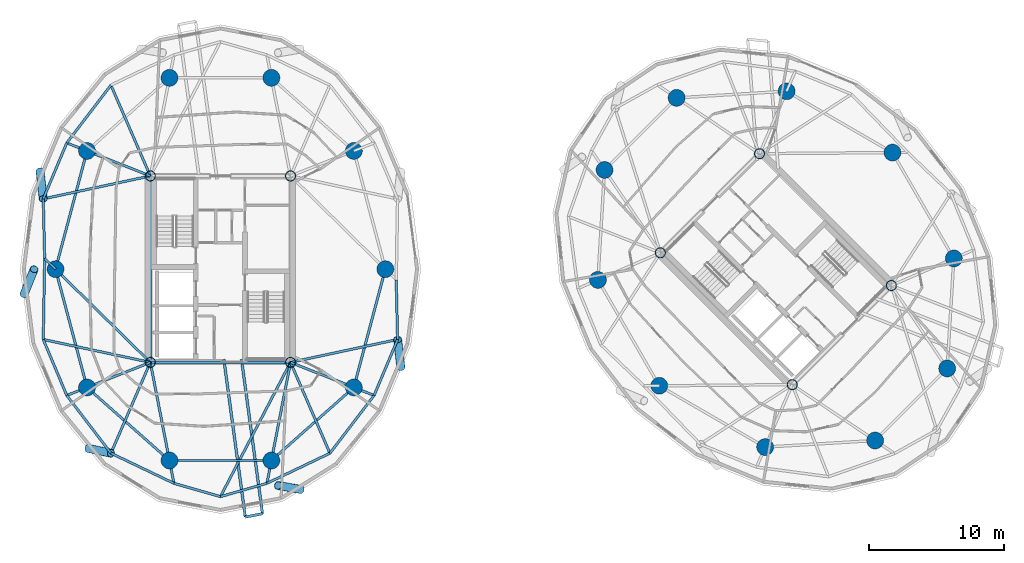
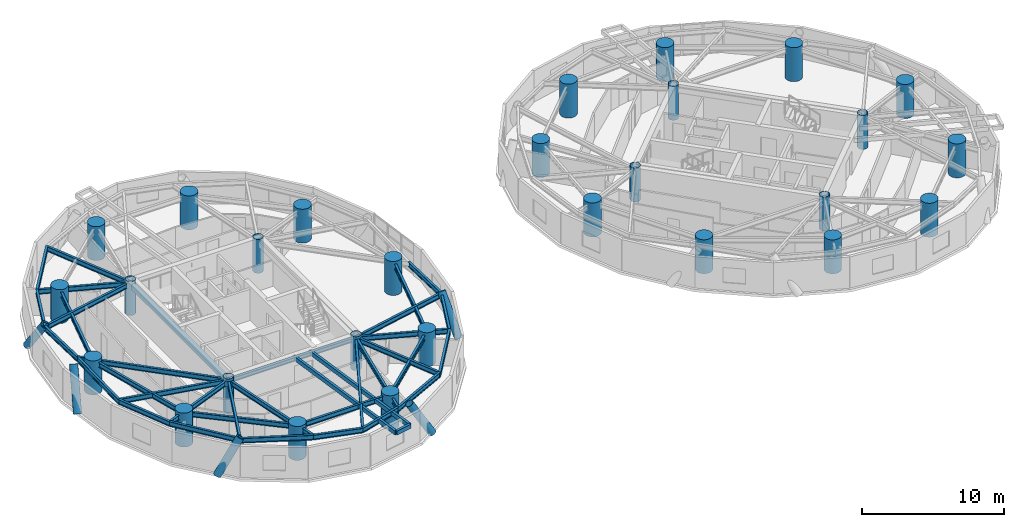
# One storey, part 1 of 17: 38 beams, 28 columns, 5 members.
"""IFC4 building model written with IfcOpenShell, lengths in metres."""

from ifc_helpers import new_model, si_unit, direction, frame, origin, origin_2d, place, context, subcontext, project, spatial, hollow_rectangle, circle, hollow_circle, i_section, extrude, material, material_profile, profile_set, type_object, element, save


model = new_model("IFC4")

# Units and contexts
model_context = context("Model", 3, precision=1e-05, world=origin(), true_north=direction((0.0, 1.0)))
body_context = subcontext(model_context, "Body", "Model", "MODEL_VIEW")
ifc_project = project(units=[si_unit("LENGTHUNIT", "METRE"), si_unit("AREAUNIT", "SQUARE_METRE"), si_unit("VOLUMEUNIT", "CUBIC_METRE"), si_unit("PLANEANGLEUNIT", "RADIAN"), si_unit("MASSUNIT", "GRAM", prefix="KILO")], contexts=[model_context])

# Site, building, storey
site_placement = place(None, origin())
site = spatial("IfcSite", under=ifc_project, at=site_placement, CompositionType="ELEMENT")
building_placement = place(site_placement, origin())
building = spatial("IfcBuilding", under=site, at=building_placement, Name="Cununo Teusaquillo Station Towers", CompositionType="ELEMENT")
storey_placement = place(building_placement, frame((0.0, 0.0, 166.14990234375)))
storey = spatial("IfcBuildingStorey", under=building, at=storey_placement, Name="L52", CompositionType="ELEMENT", Elevation=166.14990234375)

# Columns
ifc_material_1 = material(Name="Steel EN 10025-2 S355J2", Category="steel")
ifc_material_profile_1 = material_profile(ifc_material_1, hollow_circle(Radius=0.3798828125, WallThickness=0.031982421875, at=origin_2d()), Name="CHS 760x32")
ifc_profile_set_1 = profile_set([ifc_material_profile_1], Name="Steel EN 10025-2 S355J2")
column_type_1 = type_object("IfcColumnType", Name="COL-CORE-Z2", PredefinedType="COLUMN", material=ifc_profile_set_1)
for number, where, z_axis, x_axis, name in (
    (1, (11.324951171875, 17.6201171875, 0.0), (0.0, 0.0, 1.0), (1.0, 0.0, 0.0), "L52 Tower A Core Column 1"),
    (2, (11.324951171875, 31.3798828125, 0.0), (0.0, 0.0, 1.0), (1.0, 0.0, 0.0), "L52 Tower A Core Column 2"),
    (3, (21.675048828125, 17.6201171875, 0.0), (0.0, 0.0, 1.0), (1.0, 0.0, 0.0), "L52 Tower A Core Column 3"),
    (4, (21.675048828125, 31.3798828125, 0.0), (0.0, 0.0, 1.0), (1.0, 0.0, 0.0), "L52 Tower A Core Column 4"),
    (5, (58.70556640625, 15.975830078125, 0.0), (0.0, 0.0, 1.0), (0.707106781187, 0.707106781187, 0.0), "L52 Tower B Core Column 1"),
    (6, (48.975830078125, 25.70556640625, 0.0), (0.0, 0.0, 1.0), (0.707106781187, 0.707106781187, 0.0), "L52 Tower B Core Column 2"),
    (7, (66.024169921875, 23.29443359375, 0.0), (0.0, 0.0, 1.0), (0.707106781187, 0.707106781187, 0.0), "L52 Tower B Core Column 3"),
    (8, (56.29443359375, 33.024169921875, 0.0), (0.0, 0.0, 1.0), (0.707106781187, 0.707106781187, 0.0), "L52 Tower B Core Column 4"),
):
    element("IfcColumn", number, at=place(storey_placement, frame(where, z_axis=z_axis, x_axis=x_axis)), inside=storey, type_object=column_type_1, Name=name, PredefinedType="COLUMN", context=body_context, shape_type="SweptSolid", body=[
        extrude(hollow_circle(Radius=0.3798828125, WallThickness=0.031982421875, at=origin_2d()), origin(), (0.0, 0.0, 1.0), 2.91015625),
    ])
ifc_material_2 = material(Name="Concrete C60/75", Category="concrete")
ifc_material_profile_2 = material_profile(ifc_material_2, circle(Radius=0.625, at=origin_2d()), Name="RC-CIRC-1250")
ifc_profile_set_2 = profile_set([ifc_material_profile_2], Name="Concrete C60/75")
column_type_2 = type_object("IfcColumnType", Name="COL-MEGA-Z3", PredefinedType="USERDEFINED", material=ifc_profile_set_2)
for number, where, z_axis, x_axis, name in (
    (9, (28.672119140625, 24.5, 0.0), (0.0, 0.0, 1.0), (1.0, 0.0, 0.0), "L52 Tower A Perimeter Column V00"),
    (10, (26.347412109375, 33.228515625, 0.0), (0.0, 0.0, 1.0), (1.0, 0.0, 0.0), "L52 Tower A Perimeter Column V02"),
    (11, (20.261474609375, 38.623291015625, 0.0), (0.0, 0.0, 1.0), (1.0, 0.0, 0.0), "L52 Tower A Perimeter Column V04"),
    (12, (12.738525390625, 38.623291015625, 0.0), (0.0, 0.0, 1.0), (1.0, 0.0, 0.0), "L52 Tower A Perimeter Column V06"),
    (13, (6.652587890625, 33.228515625, 0.0), (0.0, 0.0, 1.0), (1.0, 0.0, 0.0), "L52 Tower A Perimeter Column V08"),
    (14, (4.327880859375, 24.5, 0.0), (0.0, 0.0, 1.0), (1.0, 0.0, 0.0), "L52 Tower A Perimeter Column V10"),
    (15, (6.652587890625, 15.771484375, 0.0), (0.0, 0.0, 1.0), (1.0, 0.0, 0.0), "L52 Tower A Perimeter Column V12"),
    (16, (12.738525390625, 10.376708984375, 0.0), (0.0, 0.0, 1.0), (1.0, 0.0, 0.0), "L52 Tower A Perimeter Column V14"),
    (17, (20.261474609375, 10.376708984375, 0.0), (0.0, 0.0, 1.0), (1.0, 0.0, 0.0), "L52 Tower A Perimeter Column V16"),
    (18, (26.347412109375, 15.771484375, 0.0), (0.0, 0.0, 1.0), (1.0, 0.0, 0.0), "L52 Tower A Perimeter Column V18"),
    (19, (66.10693359375, 33.10693359375, 0.0), (0.0, 0.0, 1.0), (1.0, 0.0, 0.0), "L52 Tower B Perimeter Column V00"),
    (20, (58.291015625, 37.63525390625, 0.0), (0.0, 0.0, 1.0), (1.0, 0.0, 0.0), "L52 Tower B Perimeter Column V02"),
    (21, (50.173095703125, 37.146240234375, 0.0), (0.0, 0.0, 1.0), (1.0, 0.0, 0.0), "L52 Tower B Perimeter Column V04"),
    (22, (44.853759765625, 31.826904296875, 0.0), (0.0, 0.0, 1.0), (1.0, 0.0, 0.0), "L52 Tower B Perimeter Column V06"),
    (23, (44.36474609375, 23.708984375, 0.0), (0.0, 0.0, 1.0), (1.0, 0.0, 0.0), "L52 Tower B Perimeter Column V08"),
    (24, (48.89306640625, 15.89306640625, 0.0), (0.0, 0.0, 1.0), (1.0, 0.0, 0.0), "L52 Tower B Perimeter Column V10"),
    (25, (56.708984375, 11.36474609375, 0.0), (0.0, 0.0, 1.0), (1.0, 0.0, 0.0), "L52 Tower B Perimeter Column V12"),
    (26, (64.826904296875, 11.853759765625, 0.0), (0.0, 0.0, 1.0), (1.0, 0.0, 0.0), "L52 Tower B Perimeter Column V14"),
    (27, (70.146240234375, 17.173095703125, 0.0), (0.0, 0.0, 1.0), (1.0, 0.0, 0.0), "L52 Tower B Perimeter Column V16"),
    (28, (70.63525390625, 25.291015625, 0.0), (0.0, 0.0, 1.0), (1.0, 0.0, 0.0), "L52 Tower B Perimeter Column V18"),
):
    element("IfcColumn", number, at=place(storey_placement, frame(where, z_axis=z_axis, x_axis=x_axis)), inside=storey, type_object=column_type_2, Name=name, ObjectType="MEGA COLUMN", PredefinedType="USERDEFINED", context=body_context, shape_type="SweptSolid", body=[
        extrude(circle(Radius=0.625, at=origin_2d()), origin(), (0.0, 0.0, 1.0), 2.91015625),
    ])

# Beams
ifc_material_3 = material(Name="Steel EN 10025-2 S355J2", Category="steel")
ifc_material_profile_3 = material_profile(ifc_material_3, hollow_rectangle(XDim=0.199951171875, YDim=0.35009765625, WallThickness=0.013916015625, at=origin_2d()), Name="RHS 350x200x14")
ifc_profile_set_3 = profile_set([ifc_material_profile_3], Name="Steel EN 10025-2 S355J2")
beam_type_1 = type_object("IfcBeamType", Name="BM-BAL-CANT", PredefinedType="BEAM", material=ifc_profile_set_3)
beam_1_placement = place(storey_placement, frame((16.751953125, 17.85009765625, 2.51513671875), z_axis=(0.134615370715, -0.990897927118, 0.0), x_axis=(0.990897927118, 0.134615370715, 0.0)))
element("IfcBeam", 29, at=beam_1_placement, inside=storey, type_object=beam_type_1, Name="L52 Tower A Balcony Cantilever Bracket 2A", PredefinedType="BEAM", context=body_context, shape_type="SweptSolid", body=[
    extrude(hollow_rectangle(XDim=0.199951171875, YDim=0.35009765625, WallThickness=0.013916015625, at=origin_2d()), origin(), (0.0, 0.0, 1.0), 11.752197265625),
])
beam_2_placement = place(storey_placement, frame((18.05517578125, 17.85009765625, 2.51513671875), z_axis=(0.134626438315, -0.990896423501, 0.0), x_axis=(0.990896423501, 0.134626438315, 0.0)))
element("IfcBeam", 30, at=beam_2_placement, inside=storey, type_object=beam_type_1, Name="L52 Tower A Balcony Cantilever Bracket 2B", PredefinedType="BEAM", context=body_context, shape_type="SweptSolid", body=[
    extrude(hollow_rectangle(XDim=0.199951171875, YDim=0.35009765625, WallThickness=0.013916015625, at=origin_2d()), origin(), (0.0, 0.0, 1.0), 11.504638671875),
])
ifc_material_4 = material(Name="Steel EN 10025-2 S355J2", Category="steel")
ifc_material_profile_4 = material_profile(ifc_material_4, hollow_rectangle(XDim=0.25, YDim=0.449951171875, WallThickness=0.01611328125, at=origin_2d()), Name="RHS 450x250x16")
ifc_profile_set_4 = profile_set([ifc_material_profile_4], Name="Steel EN 10025-2 S355J2")
beam_type_2 = type_object("IfcBeamType", Name="BM-COUP-1", PredefinedType="USERDEFINED", material=ifc_profile_set_4)
beam_3_placement = place(storey_placement, frame((11.324951171875, 17.6201171875, 2.465087890625), z_axis=(0.0, 1.0, 0.0), x_axis=(-1.0, 0.0, 0.0)))
element("IfcBeam", 31, at=beam_3_placement, inside=storey, type_object=beam_type_2, Name="L52 Tower A Core Beam 1", ObjectType="COUPLING BEAM", PredefinedType="USERDEFINED", context=body_context, shape_type="SweptSolid", body=[
    extrude(hollow_rectangle(XDim=0.25, YDim=0.449951171875, WallThickness=0.01611328125, at=origin_2d()), origin(), (0.0, 0.0, 1.0), 13.759765625),
])
ifc_material_5 = material(Name="Steel ASTM A572 Grade 50", Category="steel")
ifc_material_profile_5 = material_profile(ifc_material_5, i_section(OverallWidth=0.180908203125, OverallDepth=0.4169921875, WebThickness=0.010986328125, FlangeThickness=0.018310546875, FilletRadius=0.012939453125, at=origin_2d()), Name="W16X57")
ifc_profile_set_5 = profile_set([ifc_material_profile_5], Name="Steel ASTM A572 Grade 50")
beam_type_3 = type_object("IfcBeamType", Name="BM-JOIST-1", PredefinedType="JOIST", material=ifc_profile_set_5)
beam_4_placement = place(storey_placement, frame((11.324951171875, 31.3798828125, 2.481689453125), z_axis=(-0.397903718051, 0.917427180304, 0.0), x_axis=(-0.917427180304, -0.397903718051, 0.0)))
element("IfcBeam", 32, at=beam_4_placement, inside=storey, type_object=beam_type_3, Name="L52 Tower A Radial Spandrel Joist V07", PredefinedType="JOIST", context=body_context, shape_type="SweptSolid", body=[
    extrude(i_section(OverallWidth=0.180908203125, OverallDepth=0.4169921875, WebThickness=0.010986328125, FlangeThickness=0.018310546875, FilletRadius=0.012939453125, at=origin_2d()), origin(), (0.0, 0.0, 1.0), 7.306884765625),
])
for number, where, z_axis, x_axis, name in (
    (33, (11.324951171875, 31.3798828125, 2.481689453125), (-0.977854548984, -0.209285644589, 0.0), (0.209285644589, -0.977854548984, 0.0), "L52 Tower A Radial Spandrel Joist V09"),
    (34, (11.324951171875, 17.6201171875, 2.481689453125), (-0.977854548984, 0.209285644589, 0.0), (-0.209285644589, -0.977854548984, 0.0), "L52 Tower A Radial Spandrel Joist V11"),
):
    element("IfcBeam", number, at=place(storey_placement, frame(where, z_axis=z_axis, x_axis=x_axis)), inside=storey, type_object=beam_type_3, Name=name, PredefinedType="JOIST", context=body_context, shape_type="SweptSolid", body=[
        extrude(i_section(OverallWidth=0.180908203125, OverallDepth=0.4169921875, WebThickness=0.010986328125, FlangeThickness=0.018310546875, FilletRadius=0.012939453125, at=origin_2d()), origin(), (0.0, 0.0, 1.0), 8.081787109375),
    ])
beam_5_placement = place(storey_placement, frame((11.324951171875, 17.6201171875, 2.481689453125), z_axis=(-0.397903718051, -0.917427180304, 0.0), x_axis=(0.917427180304, -0.397903718051, 0.0)))
element("IfcBeam", 35, at=beam_5_placement, inside=storey, type_object=beam_type_3, Name="L52 Tower A Radial Spandrel Joist V13", PredefinedType="JOIST", context=body_context, shape_type="SweptSolid", body=[
    extrude(i_section(OverallWidth=0.180908203125, OverallDepth=0.4169921875, WebThickness=0.010986328125, FlangeThickness=0.018310546875, FilletRadius=0.012939453125, at=origin_2d()), origin(), (0.0, 0.0, 1.0), 7.306884765625),
])
beam_6_placement = place(storey_placement, frame((21.675048828125, 17.6201171875, 2.481689453125), z_axis=(-0.462884645231, -0.886418527113, 0.0), x_axis=(0.886418527113, -0.462884645231, 0.0)))
element("IfcBeam", 36, at=beam_6_placement, inside=storey, type_object=beam_type_3, Name="L52 Tower A Radial Spandrel Joist V15", PredefinedType="JOIST", context=body_context, shape_type="SweptSolid", body=[
    extrude(i_section(OverallWidth=0.180908203125, OverallDepth=0.4169921875, WebThickness=0.010986328125, FlangeThickness=0.018310546875, FilletRadius=0.012939453125, at=origin_2d()), origin(), (0.0, 0.0, 1.0), 11.179931640625),
])
beam_7_placement = place(storey_placement, frame((21.675048828125, 17.6201171875, 2.481689453125), z_axis=(0.397903718051, -0.917427180304, 0.0), x_axis=(0.917427180304, 0.397903718051, 0.0)))
element("IfcBeam", 37, at=beam_7_placement, inside=storey, type_object=beam_type_3, Name="L52 Tower A Radial Spandrel Joist V17", PredefinedType="JOIST", context=body_context, shape_type="SweptSolid", body=[
    extrude(i_section(OverallWidth=0.180908203125, OverallDepth=0.4169921875, WebThickness=0.010986328125, FlangeThickness=0.018310546875, FilletRadius=0.012939453125, at=origin_2d()), origin(), (0.0, 0.0, 1.0), 7.306884765625),
])
beam_8_placement = place(storey_placement, frame((21.675048828125, 17.6201171875, 2.481689453125), z_axis=(0.977854548984, 0.209285644589, 0.0), x_axis=(-0.209285644589, 0.977854548984, 0.0)))
element("IfcBeam", 38, at=beam_8_placement, inside=storey, type_object=beam_type_3, Name="L52 Tower A Radial Spandrel Joist V19", PredefinedType="JOIST", context=body_context, shape_type="SweptSolid", body=[
    extrude(i_section(OverallWidth=0.180908203125, OverallDepth=0.4169921875, WebThickness=0.010986328125, FlangeThickness=0.018310546875, FilletRadius=0.012939453125, at=origin_2d()), origin(), (0.0, 0.0, 1.0), 8.081787109375),
])
ifc_material_6 = material(Name="Steel ASTM A572 Grade 50", Category="steel")
ifc_material_profile_6 = material_profile(ifc_material_6, i_section(OverallWidth=0.2041015625, OverallDepth=0.35009765625, WebThickness=0.008544921875, FlangeThickness=0.01513671875, FilletRadius=0.011962890625, at=origin_2d()), Name="W14X48")
ifc_profile_set_6 = profile_set([ifc_material_profile_6], Name="Steel ASTM A572 Grade 50")
beam_type_4 = type_object("IfcBeamType", Name="BM-LINTEL-1", PredefinedType="LINTEL", material=ifc_profile_set_6)
beam_9_placement = place(storey_placement, frame((11.324951171875, 17.6201171875, 2.51513671875), z_axis=(1.0, 0.0, 0.0), x_axis=(0.0, 1.0, 0.0)))
element("IfcBeam", 39, at=beam_9_placement, inside=storey, type_object=beam_type_4, Name="L52 Tower A Core Beam 3", PredefinedType="LINTEL", context=body_context, shape_type="SweptSolid", body=[
    extrude(i_section(OverallWidth=0.2041015625, OverallDepth=0.35009765625, WebThickness=0.008544921875, FlangeThickness=0.01513671875, FilletRadius=0.011962890625, at=origin_2d()), origin(), (0.0, 0.0, 1.0), 10.35009765625),
])
ifc_material_7 = material(Name="Steel ASTM A572 Grade 50", Category="steel")
ifc_material_profile_7 = material_profile(ifc_material_7, i_section(OverallWidth=0.180908203125, OverallDepth=0.4169921875, WebThickness=0.010986328125, FlangeThickness=0.018310546875, FilletRadius=0.012939453125, at=origin_2d()), Name="W16X57")
ifc_profile_set_7 = profile_set([ifc_material_profile_7], Name="Steel ASTM A572 Grade 50")
beam_type_5 = type_object("IfcBeamType", Name="BM-RAD-G2", PredefinedType="BEAM", material=ifc_profile_set_7)
beam_10_placement = place(storey_placement, frame((11.324951171875, 31.3798828125, 2.481689453125), z_axis=(-0.929866438974, 0.367897275974, 0.0), x_axis=(-0.367897275974, -0.929866438974, 0.0)))
element("IfcBeam", 40, at=beam_10_placement, inside=storey, type_object=beam_type_5, Name="L52 Tower A Continuous Overhanging Radial Girder 05", PredefinedType="BEAM", context=body_context, shape_type="SweptSolid", body=[
    extrude(i_section(OverallWidth=0.180908203125, OverallDepth=0.4169921875, WebThickness=0.010986328125, FlangeThickness=0.018310546875, FilletRadius=0.012939453125, at=origin_2d()), origin(), (0.0, 0.0, 1.0), 6.632080078125),
])
beam_11_placement = place(storey_placement, frame((11.324951171875, 17.6201171875, 2.481689453125), z_axis=(-0.713052701438, 0.701110437073, 0.0), x_axis=(-0.701110437073, -0.713052701438, 0.0)))
element("IfcBeam", 41, at=beam_11_placement, inside=storey, type_object=beam_type_5, Name="L52 Tower A Radial Girder 06A", PredefinedType="BEAM", context=body_context, shape_type="SweptSolid", body=[
    extrude(i_section(OverallWidth=0.180908203125, OverallDepth=0.4169921875, WebThickness=0.010986328125, FlangeThickness=0.018310546875, FilletRadius=0.012939453125, at=origin_2d()), origin(), (0.0, 0.0, 1.0), 9.812744140625),
])
beam_12_placement = place(storey_placement, frame((4.327880859375, 24.5, 2.481689453125), z_axis=(-0.713045362701, 0.701117900734, 0.0), x_axis=(-0.701117900734, -0.713045362701, 0.0)))
element("IfcBeam", 42, at=beam_12_placement, inside=storey, type_object=beam_type_5, Name="L52 Tower A Perimeter Overhang Girder 06B", PredefinedType="BEAM", context=body_context, shape_type="SweptSolid", body=[
    extrude(i_section(OverallWidth=0.180908203125, OverallDepth=0.4169921875, WebThickness=0.010986328125, FlangeThickness=0.018310546875, FilletRadius=0.012939453125, at=origin_2d()), origin(), (0.0, 0.0, 1.0), 1.125732421875),
])
beam_13_placement = place(storey_placement, frame((11.324951171875, 17.6201171875, 2.481689453125), z_axis=(-0.929866438974, -0.367897275974, 0.0), x_axis=(0.367897275974, -0.929866438974, 0.0)))
element("IfcBeam", 43, at=beam_13_placement, inside=storey, type_object=beam_type_5, Name="L52 Tower A Continuous Overhanging Radial Girder 07", PredefinedType="BEAM", context=body_context, shape_type="SweptSolid", body=[
    extrude(i_section(OverallWidth=0.180908203125, OverallDepth=0.4169921875, WebThickness=0.010986328125, FlangeThickness=0.018310546875, FilletRadius=0.012939453125, at=origin_2d()), origin(), (0.0, 0.0, 1.0), 6.632080078125),
])
for number, where, z_axis, x_axis, name in (
    (44, (11.324951171875, 17.6201171875, 2.481689453125), (0.191557018874, -0.981481486591, 0.0), (0.981481486591, 0.191557018874, 0.0), "L52 Tower A Continuous Overhanging Radial Girder 08"),
    (45, (21.675048828125, 17.6201171875, 2.481689453125), (-0.191557018874, -0.981481486591, 0.0), (0.981481486591, -0.191557018874, 0.0), "L52 Tower A Continuous Overhanging Radial Girder 09"),
):
    element("IfcBeam", number, at=place(storey_placement, frame(where, z_axis=z_axis, x_axis=x_axis)), inside=storey, type_object=beam_type_5, Name=name, PredefinedType="BEAM", context=body_context, shape_type="SweptSolid", body=[
        extrude(i_section(OverallWidth=0.180908203125, OverallDepth=0.4169921875, WebThickness=0.010986328125, FlangeThickness=0.018310546875, FilletRadius=0.012939453125, at=origin_2d()), origin(), (0.0, 0.0, 1.0), 9.097412109375),
    ])
beam_14_placement = place(storey_placement, frame((21.675048828125, 17.6201171875, 2.481689453125), z_axis=(0.929866438974, -0.367897275974, 0.0), x_axis=(0.367897275974, 0.929866438974, 0.0)))
element("IfcBeam", 46, at=beam_14_placement, inside=storey, type_object=beam_type_5, Name="L52 Tower A Continuous Overhanging Radial Girder 10", PredefinedType="BEAM", context=body_context, shape_type="SweptSolid", body=[
    extrude(i_section(OverallWidth=0.180908203125, OverallDepth=0.4169921875, WebThickness=0.010986328125, FlangeThickness=0.018310546875, FilletRadius=0.012939453125, at=origin_2d()), origin(), (0.0, 0.0, 1.0), 6.632080078125),
])
ifc_material_8 = material(Name="Steel ASTM A572 Grade 50", Category="steel")
ifc_material_profile_8 = material_profile(ifc_material_8, i_section(OverallWidth=0.180908203125, OverallDepth=0.4169921875, WebThickness=0.010986328125, FlangeThickness=0.018310546875, FilletRadius=0.012939453125, at=origin_2d()), Name="W16X57")
ifc_profile_set_8 = profile_set([ifc_material_profile_8], Name="Steel ASTM A572 Grade 50")
beam_type_6 = type_object("IfcBeamType", Name="BM-RING-Z3", PredefinedType="SPANDREL", material=ifc_profile_set_8)
for number, where, z_axis, x_axis, name in (
    (47, (6.652587890625, 33.228515625, 2.481689453125), (-0.257363196347, -0.966314744359, 0.0), (0.966314744359, -0.257363196347, 0.0), "L52 Tower A Structural Column Ring Girder 05"),
    (48, (4.327880859375, 24.5, 2.481689453125), (0.257363196347, -0.966314744359, 0.0), (0.966314744359, 0.257363196347, 0.0), "L52 Tower A Structural Column Ring Girder 06"),
):
    element("IfcBeam", number, at=place(storey_placement, frame(where, z_axis=z_axis, x_axis=x_axis)), inside=storey, type_object=beam_type_6, Name=name, PredefinedType="SPANDREL", context=body_context, shape_type="SweptSolid", body=[
        extrude(i_section(OverallWidth=0.180908203125, OverallDepth=0.4169921875, WebThickness=0.010986328125, FlangeThickness=0.018310546875, FilletRadius=0.012939453125, at=origin_2d()), origin(), (0.0, 0.0, 1.0), 9.03271484375),
    ])
beam_15_placement = place(storey_placement, frame((6.652587890625, 15.771484375, 2.481689453125), z_axis=(0.74832120039, -0.66333655187, 0.0), x_axis=(0.66333655187, 0.74832120039, 0.0)))
element("IfcBeam", 49, at=beam_15_placement, inside=storey, type_object=beam_type_6, Name="L52 Tower A Structural Column Ring Girder 07", PredefinedType="SPANDREL", context=body_context, shape_type="SweptSolid", body=[
    extrude(i_section(OverallWidth=0.180908203125, OverallDepth=0.4169921875, WebThickness=0.010986328125, FlangeThickness=0.018310546875, FilletRadius=0.012939453125, at=origin_2d()), origin(), (0.0, 0.0, 1.0), 8.1328125),
])
beam_16_placement = place(storey_placement, frame((12.738525390625, 10.376708984375, 2.481689453125), z_axis=(1.0, 0.0, 0.0), x_axis=(0.0, 1.0, 0.0)))
element("IfcBeam", 50, at=beam_16_placement, inside=storey, type_object=beam_type_6, Name="L52 Tower A Structural Column Ring Girder 08", PredefinedType="SPANDREL", context=body_context, shape_type="SweptSolid", body=[
    extrude(i_section(OverallWidth=0.180908203125, OverallDepth=0.4169921875, WebThickness=0.010986328125, FlangeThickness=0.018310546875, FilletRadius=0.012939453125, at=origin_2d()), origin(), (0.0, 0.0, 1.0), 7.52294921875),
])
beam_17_placement = place(storey_placement, frame((20.261474609375, 10.376708984375, 2.481689453125), z_axis=(0.74832120039, 0.66333655187, 0.0), x_axis=(-0.66333655187, 0.74832120039, 0.0)))
element("IfcBeam", 51, at=beam_17_placement, inside=storey, type_object=beam_type_6, Name="L52 Tower A Structural Column Ring Girder 09", PredefinedType="SPANDREL", context=body_context, shape_type="SweptSolid", body=[
    extrude(i_section(OverallWidth=0.180908203125, OverallDepth=0.4169921875, WebThickness=0.010986328125, FlangeThickness=0.018310546875, FilletRadius=0.012939453125, at=origin_2d()), origin(), (0.0, 0.0, 1.0), 8.1328125),
])
beam_18_placement = place(storey_placement, frame((26.347412109375, 15.771484375, 2.481689453125), z_axis=(0.257363196347, 0.966314744359, 0.0), x_axis=(-0.966314744359, 0.257363196347, 0.0)))
element("IfcBeam", 52, at=beam_18_placement, inside=storey, type_object=beam_type_6, Name="L52 Tower A Structural Column Ring Girder 10", PredefinedType="SPANDREL", context=body_context, shape_type="SweptSolid", body=[
    extrude(i_section(OverallWidth=0.180908203125, OverallDepth=0.4169921875, WebThickness=0.010986328125, FlangeThickness=0.018310546875, FilletRadius=0.012939453125, at=origin_2d()), origin(), (0.0, 0.0, 1.0), 9.03271484375),
])
beam_19_placement = place(storey_placement, frame((8.41748046875, 38.08349609375, 2.481689453125), z_axis=(-0.607340349092, -0.794441753916, 0.0), x_axis=(0.794441753916, -0.607340349092, 0.0)))
element("IfcBeam", 53, at=beam_19_placement, inside=storey, type_object=beam_type_6, Name="L52 Tower A Spandrel Ring Beam 08", PredefinedType="SPANDREL", context=body_context, shape_type="SweptSolid", body=[
    extrude(i_section(OverallWidth=0.180908203125, OverallDepth=0.4169921875, WebThickness=0.010986328125, FlangeThickness=0.018310546875, FilletRadius=0.012939453125, at=origin_2d()), origin(), (0.0, 0.0, 1.0), 5.366943359375),
])
beam_20_placement = place(storey_placement, frame((5.157958984375, 33.81982421875, 2.481689453125), z_axis=(-0.387360300858, -0.921928412253, 0.0), x_axis=(0.921928412253, -0.387360300858, 0.0)))
element("IfcBeam", 54, at=beam_20_placement, inside=storey, type_object=beam_type_6, Name="L52 Tower A Spandrel Ring Beam 09", PredefinedType="SPANDREL", context=body_context, shape_type="SweptSolid", body=[
    extrude(i_section(OverallWidth=0.180908203125, OverallDepth=0.4169921875, WebThickness=0.010986328125, FlangeThickness=0.018310546875, FilletRadius=0.012939453125, at=origin_2d()), origin(), (0.0, 0.0, 1.0), 4.481201171875),
])
beam_21_placement = place(storey_placement, frame((3.422119140625, 29.6884765625, 2.481689453125), z_axis=(0.0234133036, -0.999725871034, 0.0), x_axis=(0.999725871034, 0.0234133036, 0.0)))
element("IfcBeam", 55, at=beam_21_placement, inside=storey, type_object=beam_type_6, Name="L52 Tower A Spandrel Ring Beam 10", PredefinedType="SPANDREL", context=body_context, shape_type="SweptSolid", body=[
    extrude(i_section(OverallWidth=0.180908203125, OverallDepth=0.4169921875, WebThickness=0.010986328125, FlangeThickness=0.018310546875, FilletRadius=0.012939453125, at=origin_2d()), origin(), (0.0, 0.0, 1.0), 4.400390625),
])
beam_22_placement = place(storey_placement, frame((3.525146484375, 25.289306640625, 2.481689453125), z_axis=(-0.017232482627, -0.999851509747, 0.0), x_axis=(0.999851509747, -0.017232482627, 0.0)))
element("IfcBeam", 56, at=beam_22_placement, inside=storey, type_object=beam_type_6, Name="L52 Tower A Spandrel Ring Beam 11", PredefinedType="SPANDREL", context=body_context, shape_type="SweptSolid", body=[
    extrude(i_section(OverallWidth=0.180908203125, OverallDepth=0.4169921875, WebThickness=0.010986328125, FlangeThickness=0.018310546875, FilletRadius=0.012939453125, at=origin_2d()), origin(), (0.0, 0.0, 1.0), 5.978759765625),
])
beam_23_placement = place(storey_placement, frame((3.422119140625, 19.3115234375, 2.481689453125), z_axis=(0.387360300858, -0.921928412253, 0.0), x_axis=(0.921928412253, 0.387360300858, 0.0)))
element("IfcBeam", 57, at=beam_23_placement, inside=storey, type_object=beam_type_6, Name="L52 Tower A Spandrel Ring Beam 12", PredefinedType="SPANDREL", context=body_context, shape_type="SweptSolid", body=[
    extrude(i_section(OverallWidth=0.180908203125, OverallDepth=0.4169921875, WebThickness=0.010986328125, FlangeThickness=0.018310546875, FilletRadius=0.012939453125, at=origin_2d()), origin(), (0.0, 0.0, 1.0), 4.481201171875),
])
beam_24_placement = place(storey_placement, frame((5.157958984375, 15.18017578125, 2.481689453125), z_axis=(0.607340349092, -0.794441753916, 0.0), x_axis=(0.794441753916, 0.607340349092, 0.0)))
element("IfcBeam", 58, at=beam_24_placement, inside=storey, type_object=beam_type_6, Name="L52 Tower A Spandrel Ring Beam 13", PredefinedType="SPANDREL", context=body_context, shape_type="SweptSolid", body=[
    extrude(i_section(OverallWidth=0.180908203125, OverallDepth=0.4169921875, WebThickness=0.010986328125, FlangeThickness=0.018310546875, FilletRadius=0.012939453125, at=origin_2d()), origin(), (0.0, 0.0, 1.0), 5.366943359375),
])
beam_25_placement = place(storey_placement, frame((8.41748046875, 10.91650390625, 2.481689453125), z_axis=(0.902031610991, -0.431669981319, 0.0), x_axis=(0.431669981319, 0.902031610991, 0.0)))
element("IfcBeam", 59, at=beam_25_placement, inside=storey, type_object=beam_type_6, Name="L52 Tower A Spandrel Ring Beam 14", PredefinedType="SPANDREL", context=body_context, shape_type="SweptSolid", body=[
    extrude(i_section(OverallWidth=0.180908203125, OverallDepth=0.4169921875, WebThickness=0.010986328125, FlangeThickness=0.018310546875, FilletRadius=0.012939453125, at=origin_2d()), origin(), (0.0, 0.0, 1.0), 5.1552734375),
])
for number, where, z_axis, x_axis, name in (
    (60, (13.067626953125, 8.691162109375, 2.481689453125), (0.961485227168, -0.274856613414, 0.0), (0.274856613414, 0.961485227168, 0.0), "L52 Tower A Spandrel Ring Beam 15"),
    (61, (16.5, 7.7099609375, 2.481689453125), (0.961485227168, 0.274856613414, 0.0), (-0.274856613414, 0.961485227168, 0.0), "L52 Tower A Spandrel Ring Beam 16"),
):
    element("IfcBeam", number, at=place(storey_placement, frame(where, z_axis=z_axis, x_axis=x_axis)), inside=storey, type_object=beam_type_6, Name=name, PredefinedType="SPANDREL", context=body_context, shape_type="SweptSolid", body=[
        extrude(i_section(OverallWidth=0.180908203125, OverallDepth=0.4169921875, WebThickness=0.010986328125, FlangeThickness=0.018310546875, FilletRadius=0.012939453125, at=origin_2d()), origin(), (0.0, 0.0, 1.0), 3.56982421875),
    ])
beam_26_placement = place(storey_placement, frame((19.932373046875, 8.691162109375, 2.481689453125), z_axis=(0.902031610991, 0.431669981319, 0.0), x_axis=(-0.431669981319, 0.902031610991, 0.0)))
element("IfcBeam", 62, at=beam_26_placement, inside=storey, type_object=beam_type_6, Name="L52 Tower A Spandrel Ring Beam 17", PredefinedType="SPANDREL", context=body_context, shape_type="SweptSolid", body=[
    extrude(i_section(OverallWidth=0.180908203125, OverallDepth=0.4169921875, WebThickness=0.010986328125, FlangeThickness=0.018310546875, FilletRadius=0.012939453125, at=origin_2d()), origin(), (0.0, 0.0, 1.0), 5.1552734375),
])
beam_27_placement = place(storey_placement, frame((24.58251953125, 10.91650390625, 2.481689453125), z_axis=(0.607340349092, 0.794441753916, 0.0), x_axis=(-0.794441753916, 0.607340349092, 0.0)))
element("IfcBeam", 63, at=beam_27_placement, inside=storey, type_object=beam_type_6, Name="L52 Tower A Spandrel Ring Beam 18", PredefinedType="SPANDREL", context=body_context, shape_type="SweptSolid", body=[
    extrude(i_section(OverallWidth=0.180908203125, OverallDepth=0.4169921875, WebThickness=0.010986328125, FlangeThickness=0.018310546875, FilletRadius=0.012939453125, at=origin_2d()), origin(), (0.0, 0.0, 1.0), 5.366943359375),
])
beam_28_placement = place(storey_placement, frame((27.842041015625, 15.18017578125, 2.481689453125), z_axis=(0.387360300858, 0.921928412253, 0.0), x_axis=(-0.921928412253, 0.387360300858, 0.0)))
element("IfcBeam", 64, at=beam_28_placement, inside=storey, type_object=beam_type_6, Name="L52 Tower A Spandrel Ring Beam 19", PredefinedType="SPANDREL", context=body_context, shape_type="SweptSolid", body=[
    extrude(i_section(OverallWidth=0.180908203125, OverallDepth=0.4169921875, WebThickness=0.010986328125, FlangeThickness=0.018310546875, FilletRadius=0.012939453125, at=origin_2d()), origin(), (0.0, 0.0, 1.0), 4.481201171875),
])
beam_29_placement = place(storey_placement, frame((29.577880859375, 19.3115234375, 2.481689453125), z_axis=(-0.0234133036, 0.999725871034, 0.0), x_axis=(-0.999725871034, -0.0234133036, 0.0)))
element("IfcBeam", 65, at=beam_29_placement, inside=storey, type_object=beam_type_6, Name="L52 Tower A Spandrel Ring Beam 20", PredefinedType="SPANDREL", context=body_context, shape_type="SweptSolid", body=[
    extrude(i_section(OverallWidth=0.180908203125, OverallDepth=0.4169921875, WebThickness=0.010986328125, FlangeThickness=0.018310546875, FilletRadius=0.012939453125, at=origin_2d()), origin(), (0.0, 0.0, 1.0), 4.400390625),
])
ifc_material_9 = material(Name="Steel EN 10025-2 S355J2", Category="steel")
ifc_material_profile_9 = material_profile(ifc_material_9, hollow_rectangle(XDim=0.199951171875, YDim=0.35009765625, WallThickness=0.013916015625, at=origin_2d()), Name="RHS 350x200x14")
ifc_profile_set_9 = profile_set([ifc_material_profile_9], Name="Steel EN 10025-2 S355J2")
beam_type_7 = type_object("IfcBeamType", Name="BM-STAIR-TRIM", PredefinedType="BEAM", material=ifc_profile_set_9)
beam_30_placement = place(storey_placement, frame((18.333984375, 6.204833984375, 2.525146484375), z_axis=(0.981844538169, 0.189687381942, 0.0), x_axis=(-0.189687381942, 0.981844538169, 0.0)))
element("IfcBeam", 66, at=beam_30_placement, inside=storey, type_object=beam_type_7, Name="L52 Tower A Balcony Edge Trimmer Beam 2", PredefinedType="BEAM", context=body_context, shape_type="SweptSolid", body=[
    extrude(hollow_rectangle(XDim=0.199951171875, YDim=0.35009765625, WallThickness=0.013916015625, at=origin_2d()), origin(), (0.0, 0.0, 1.0), 1.29345703125),
])

# Members
ifc_material_10 = material(Name="Steel EN 10025-2 S355J2", Category="steel")
ifc_material_profile_10 = material_profile(ifc_material_10, hollow_circle(Radius=0.304931640625, WallThickness=0.02001953125, at=origin_2d()), Name="CHS 610x20")
ifc_profile_set_10 = profile_set([ifc_material_profile_10], Name="Steel EN 10025-2 S355J2")
member_type = type_object("IfcMemberType", Name="MBR-DIAG-Z3", PredefinedType="BRACE", material=ifc_profile_set_10)
member_1_placement = place(storey_placement, frame((3.183837890625, 31.73095703125, -0.139892578125), z_axis=(0.066873618583, -0.573222021585, 0.816666659726), x_axis=(0.993263594593, 0.115876795162, 0.0)))
element("IfcMember", 67, at=member_1_placement, inside=storey, type_object=member_type, Name="L52 Tower A Folded-Zigzag Diagrid Tube C08", PredefinedType="BRACE", context=body_context, shape_type="SweptSolid", body=[
    extrude(hollow_circle(Radius=0.304931640625, WallThickness=0.02001953125, at=origin_2d()), origin(), (0.0, 0.0, 1.0), 3.563232421875),
])
member_2_placement = place(storey_placement, frame((2.00537109375, 22.64697265625, -0.139892578125), z_axis=(0.210722049801, 0.525075626392, 0.824555519232), x_axis=(-0.928054460427, 0.37244451732, 0.0)))
element("IfcMember", 68, at=member_2_placement, inside=storey, type_object=member_type, Name="L52 Tower A Folded-Zigzag Diagrid Tube C10", PredefinedType="BRACE", context=body_context, shape_type="SweptSolid", body=[
    extrude(hollow_circle(Radius=0.304931640625, WallThickness=0.02001953125, at=origin_2d()), origin(), (0.0, 0.0, 1.0), 3.529052734375),
])
member_3_placement = place(storey_placement, frame((6.75244140625, 11.2724609375, -0.139892578125), z_axis=(0.493864947235, -0.10557992567, 0.863105030218), x_axis=(0.209059033172, 0.977903022109, 0.0)))
element("IfcMember", 69, at=member_3_placement, inside=storey, type_object=member_type, Name="L52 Tower A Folded-Zigzag Diagrid Tube C12", PredefinedType="BRACE", context=body_context, shape_type="SweptSolid", body=[
    extrude(hollow_circle(Radius=0.304931640625, WallThickness=0.02001953125, at=origin_2d()), origin(), (0.0, 0.0, 1.0), 3.371337890625),
])
member_4_placement = place(storey_placement, frame((22.422607421875, 8.2421875, -0.139892578125), z_axis=(-0.496658226104, 0.085940568451, 0.863680974167), x_axis=(-0.170503853676, -0.985357009353, 0.0)))
element("IfcMember", 70, at=member_4_placement, inside=storey, type_object=member_type, Name="L52 Tower A Folded-Zigzag Diagrid Tube C16", PredefinedType="BRACE", context=body_context, shape_type="SweptSolid", body=[
    extrude(hollow_circle(Radius=0.304931640625, WallThickness=0.02001953125, at=origin_2d()), origin(), (0.0, 0.0, 1.0), 3.369140625),
])
member_5_placement = place(storey_placement, frame((29.816162109375, 17.26904296875, -0.139892578125), z_axis=(-0.066873618583, 0.573222021585, 0.816666659726), x_axis=(-0.993263594593, -0.115876795162, 0.0)))
element("IfcMember", 71, at=member_5_placement, inside=storey, type_object=member_type, Name="L52 Tower A Folded-Zigzag Diagrid Tube C18", PredefinedType="BRACE", context=body_context, shape_type="SweptSolid", body=[
    extrude(hollow_circle(Radius=0.304931640625, WallThickness=0.02001953125, at=origin_2d()), origin(), (0.0, 0.0, 1.0), 3.563232421875),
])

save(model, "model.ifc")
